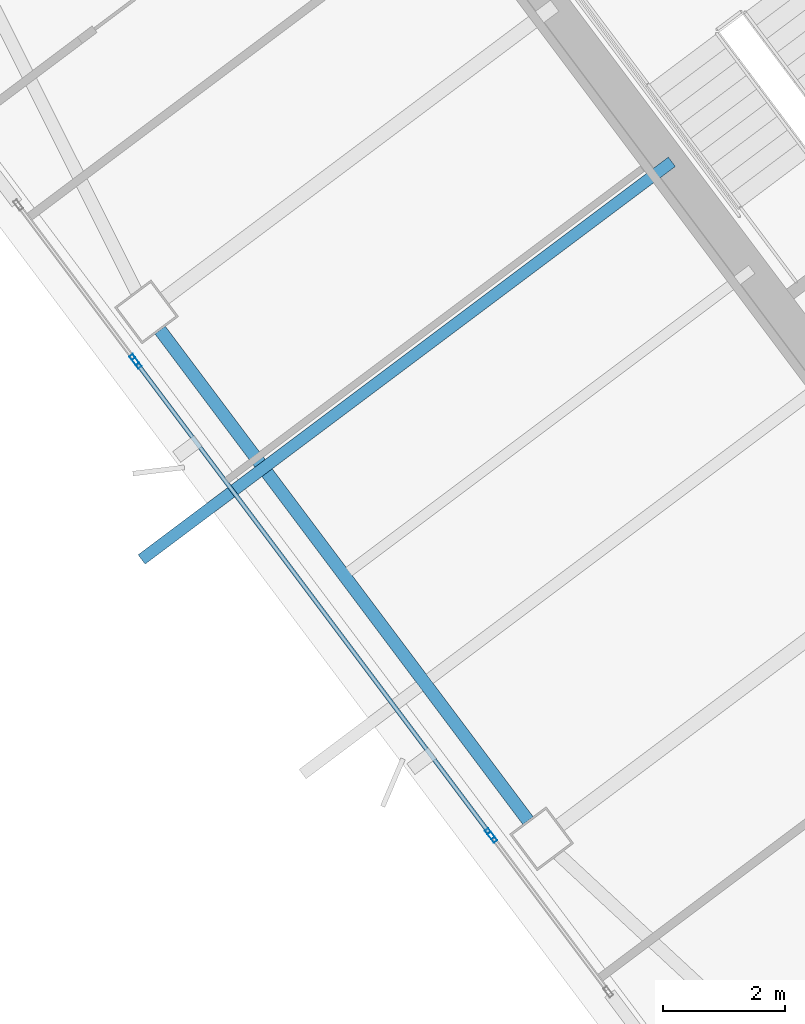
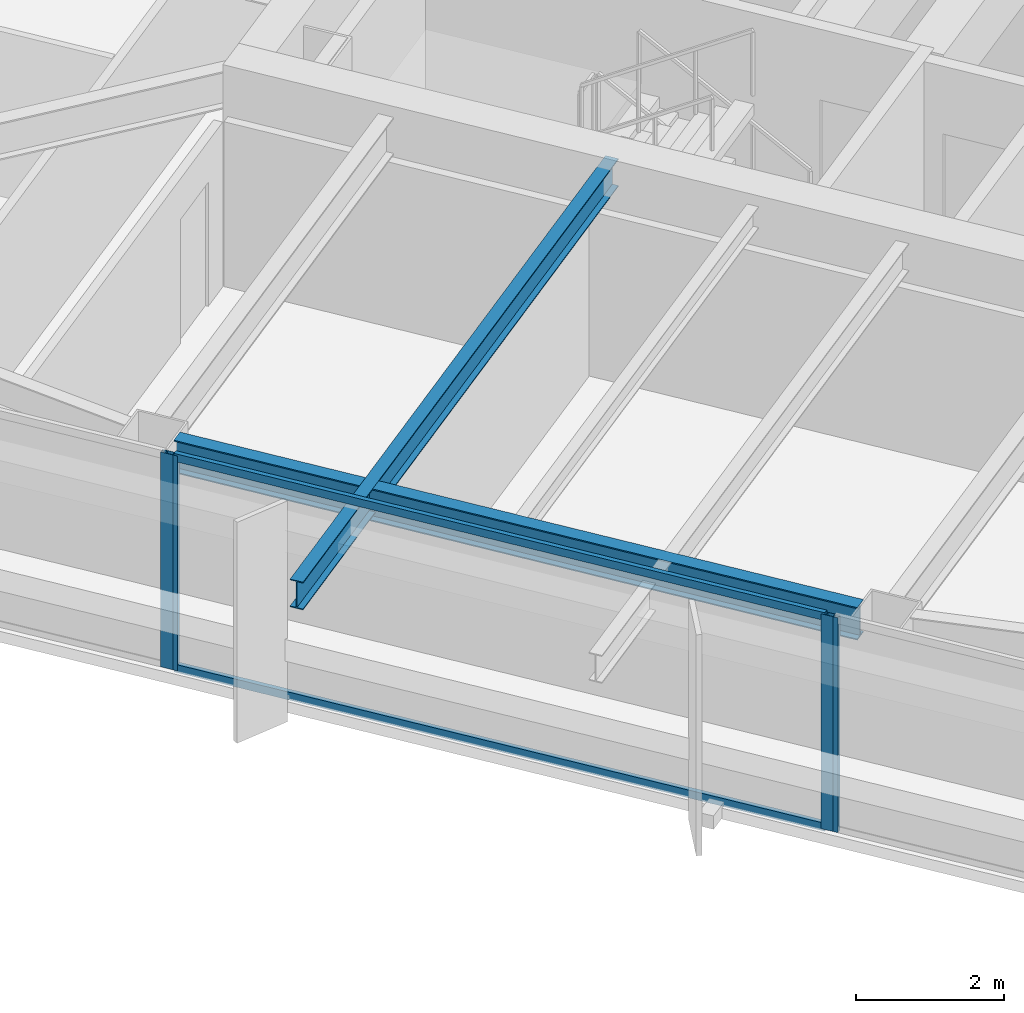
# One storey, part 18 of 46: 6 members, 2 beams, 3 elements without a shape of their own.
"""IFC4 building model written with IfcOpenShell, lengths in metres."""

import ifcopenshell
import ifcopenshell.guid

model = None  # the IFC model being written
_history = None  # IfcOwnerHistory: only IFC2X3 demands one
_inside = {}  # id of a spatial element -> (the spatial element, [elements in it])
_under = {}  # id of a project, library or spatial element -> (it, [spatial elements below it])
_declared = {}  # id of a project -> (the project, [libraries it declares])
_typed = {}  # id of a type object -> (the type object, [elements of that type])
_made_of = {}  # id of a material, layer set ... -> (it, [elements and type objects made of it])


def new_model(schema):
    """Start an empty IFC model of exactly this schema.

    Asked for "IFC4X3", IfcOpenShell would pick the latest addendum, in which some entities
    have other attributes; the version numbers below select the first issue.
    IFC2X3 requires an IfcOwnerHistory on every rooted entity: one is made here for all.
    """
    global model, _history
    if schema == "IFC4X3":
        model = ifcopenshell.file(schema_version=(4, 3, 0, 0))
    else:
        model = ifcopenshell.file(schema=schema)
    _inside.clear()
    _under.clear()
    _declared.clear()
    _typed.clear()
    _made_of.clear()
    _history = None
    if model.schema == "IFC2X3":
        org = make("IfcOrganization", Name="unknown")
        user = make(
            "IfcPersonAndOrganization",
            ThePerson=make("IfcPerson", FamilyName="unknown"),
            TheOrganization=org,
        )
        app = make(
            "IfcApplication",
            ApplicationDeveloper=org,
            Version="unknown",
            ApplicationFullName="unknown",
            ApplicationIdentifier="unknown",
        )
        _history = make(
            "IfcOwnerHistory",
            OwningUser=user,
            OwningApplication=app,
            ChangeAction="ADDED",
            CreationDate=0,
        )
    return model


def make(cls, **values):
    """One entity of the class cls with the attributes given. An attribute that is None is left unset."""
    return model.create_entity(
        cls, **{name: value for name, value in values.items() if value is not None}
    )


def rooted(cls, **values):
    """An entity with a GlobalId (a new one), such as an element, a storey or a relation."""
    return make(cls, GlobalId=ifcopenshell.guid.new(), OwnerHistory=_history, **values)


def si_unit(unit_type, name, prefix=None):
    """IfcSIUnit, for example si_unit("LENGTHUNIT", "METRE", prefix="MILLI")."""
    return make("IfcSIUnit", UnitType=unit_type, Prefix=prefix, Name=name)


def assignment(units):
    """IfcUnitAssignment: the units of a project."""
    return None if units is None else make("IfcUnitAssignment", Units=units)


def point(xyz):
    """IfcCartesianPoint."""
    return None if xyz is None else make("IfcCartesianPoint", Coordinates=xyz)


def direction(xyz):
    """IfcDirection."""
    return None if xyz is None else make("IfcDirection", DirectionRatios=xyz)


def frame(location, z_axis=None, x_axis=None):
    """IfcAxis2Placement3D, a coordinate frame: its origin and axes. An axis left out is left unset."""
    return make(
        "IfcAxis2Placement3D",
        Location=point(location),
        Axis=direction(z_axis),
        RefDirection=direction(x_axis),
    )


def frame_2d(location, x_axis=None):
    """IfcAxis2Placement2D, a coordinate frame in the plane: its origin and x axis."""
    return make(
        "IfcAxis2Placement2D", Location=point(location), RefDirection=direction(x_axis)
    )


def origin():
    """The frame at (0, 0, 0) with its axes left unset."""
    return frame((0.0, 0.0, 0.0))


def origin_2d():
    """The frame at (0, 0) in the plane with its x axis left unset."""
    return frame_2d((0.0, 0.0))


def place(relative_to, where):
    """IfcLocalPlacement: puts the frame where relative to a parent placement (None: the world)."""
    return make(
        "IfcLocalPlacement", PlacementRelTo=relative_to, RelativePlacement=where
    )


def context(
    kind, dimensions, precision=None, world=None, true_north=None, identifier=None
):
    """IfcGeometricRepresentationContext, for example the 3D "Model" context."""
    return make(
        "IfcGeometricRepresentationContext",
        ContextIdentifier=identifier,
        ContextType=kind,
        CoordinateSpaceDimension=dimensions,
        Precision=precision,
        WorldCoordinateSystem=world,
        TrueNorth=true_north,
    )


def subcontext(parent, identifier, kind, view, scale=None):
    """IfcGeometricRepresentationSubContext, for example "Body" below "Model"."""
    return make(
        "IfcGeometricRepresentationSubContext",
        ContextIdentifier=identifier,
        ContextType=kind,
        ParentContext=parent,
        TargetScale=scale,
        TargetView=view,
    )


def project(units=None, contexts=None):
    """IfcProject with its units and contexts."""
    return rooted(
        "IfcProject",
        Name="project",
        RepresentationContexts=contexts,
        UnitsInContext=assignment(units),
    )


def spatial(cls, under=None, at=None, **own):
    """A site, building, storey or space (cls), placed at a placement, below another one or the project."""
    s = rooted(cls, ObjectPlacement=at, **own)
    if under is not None:
        _under.setdefault(under.id(), (under, []))[1].append(s)
    return s


def profile(cls, at=None, kind="AREA", **sizes):
    """A parametric profile (cls). Its sizes go by their IFC names, for example OverallWidth=200.0."""
    return make(cls, ProfileType=kind, Position=at, **sizes)


def hollow_rectangle(**sizes):
    """IfcRectangleHollowProfileDef."""
    return profile("IfcRectangleHollowProfileDef", **sizes)


def i_section(**sizes):
    """IfcIShapeProfileDef."""
    return profile("IfcIShapeProfileDef", **sizes)


def extrude(swept, where, along, depth):
    """IfcExtrudedAreaSolid: the profile swept, set in the frame where, extruded along a direction by depth."""
    return make(
        "IfcExtrudedAreaSolid",
        SweptArea=swept,
        Position=where,
        ExtrudedDirection=direction(along),
        Depth=depth,
    )


def shape(context_of_items, identifier, shape_type, items):
    """IfcShapeRepresentation: the items that make up one representation, for example the "Body"."""
    return make(
        "IfcShapeRepresentation",
        ContextOfItems=context_of_items,
        RepresentationIdentifier=identifier,
        RepresentationType=shape_type,
        Items=items,
    )


def material(Name=None, Category=None):
    """IfcMaterial."""
    return make("IfcMaterial", Name=Name, Category=Category)


def material_profile(
    of_material, cross_section, Name=None, Category=None, Priority=None
):
    """IfcMaterialProfile: a cross section and its material."""
    return make(
        "IfcMaterialProfile",
        Name=Name,
        Material=of_material,
        Profile=cross_section,
        Priority=Priority,
        Category=Category,
    )


def profile_set(profiles, Name=None, composite=None):
    """IfcMaterialProfileSet."""
    return make(
        "IfcMaterialProfileSet",
        Name=Name,
        MaterialProfiles=profiles,
        CompositeProfile=composite,
    )


def made_of(thing, what):
    """Note that an element or type object is made of a material, layer set ...; save() writes the relation."""
    if what is not None:
        _made_of.setdefault(what.id(), (what, []))[1].append(thing)
    return thing


def type_object(cls, material=None, **own):
    """A type object (cls), such as IfcWallType, which elements share."""
    return made_of(rooted(cls, **own), material)


def element(
    cls,
    number,
    at=None,
    inside=None,
    cuts=None,
    type_object=None,
    material=None,
    context=None,
    identifier="Body",
    shape_type=None,
    held_by="IfcProductDefinitionShape",
    body=None,
    shapes=None,
    **own,
):
    """One element of the class cls, such as IfcWall. Its Tag is "e" and its number.

    at: its placement. inside: the storey or other place that contains it. cuts: it is an
    opening in that element (IfcRelVoidsElement). A single representation is given by context,
    identifier, shape_type and body (its items); several are given by shapes. held_by: the class
    of the entity that holds the representations. save() writes the other relations.
    """
    e = rooted(cls, Tag="e%d" % number, ObjectPlacement=at, **own)
    if body is not None:
        shapes = [shape(context, identifier, shape_type, body)]
    if shapes is not None:
        e.Representation = make(held_by, Representations=shapes)
    if inside is not None:
        _inside.setdefault(inside.id(), (inside, []))[1].append(e)
    if cuts is not None:
        rooted(
            "IfcRelVoidsElement", RelatingBuildingElement=cuts, RelatedOpeningElement=e
        )
    if type_object is not None:
        _typed.setdefault(type_object.id(), (type_object, []))[1].append(e)
    return made_of(e, material)


def aggregate(whole, parts):
    """IfcRelAggregates: a whole, such as a stair, and the parts it consists of."""
    return rooted("IfcRelAggregates", RelatingObject=whole, RelatedObjects=parts)


def save(model, path):
    """Write the relations noted so far, then the file.

    IfcRelAggregates (storeys below a building ...), IfcRelContainedInSpatialStructure (elements
    in a storey), IfcRelDefinesByType, IfcRelAssociatesMaterial and IfcRelDeclares: one each for
    every whole, place, type object, material and project.
    """
    for whole, parts in _under.values():
        aggregate(whole, parts)
    for where, things in _inside.values():
        rooted(
            "IfcRelContainedInSpatialStructure",
            RelatedElements=things,
            RelatingStructure=where,
        )
    for kind, things in _typed.values():
        rooted("IfcRelDefinesByType", RelatedObjects=things, RelatingType=kind)
    for what, things in _made_of.values():
        rooted("IfcRelAssociatesMaterial", RelatedObjects=things, RelatingMaterial=what)
    for by, libraries in _declared.values():
        rooted("IfcRelDeclares", RelatingContext=by, RelatedDefinitions=libraries)
    model.write(path)


model = new_model("IFC4")

# Units and contexts
model_context = context("Model", 3, precision=1e-05, world=origin(), true_north=direction((0.0, 1.0)))
body_context = subcontext(model_context, "Body", "Model", "MODEL_VIEW")
ifc_project = project(units=[si_unit("LENGTHUNIT", "METRE"), si_unit("AREAUNIT", "SQUARE_METRE"), si_unit("VOLUMEUNIT", "CUBIC_METRE"), si_unit("PLANEANGLEUNIT", "RADIAN"), si_unit("MASSUNIT", "GRAM", prefix="KILO")], contexts=[model_context])

# Site, building, storey
site_placement = place(None, origin())
site = spatial("IfcSite", under=ifc_project, at=site_placement, CompositionType="ELEMENT")
building_placement = place(site_placement, origin())
building = spatial("IfcBuilding", under=site, at=building_placement, Name="Tashvorn Skyway Center", CompositionType="ELEMENT")
storey_placement = place(building_placement, frame((0.0, 0.0, 167.64990234375)))
storey = spatial("IfcBuildingStorey", under=building, at=storey_placement, Name="L45", CompositionType="ELEMENT", Elevation=167.64990234375)

# Beams
ifc_material_1 = material(Name="Steel ASTM A992 Grade 50", Category="steel")
ifc_material_profile_1 = material_profile(ifc_material_1, i_section(OverallWidth=0.19091796875, OverallDepth=0.4599609375, WebThickness=0.010009765625, FlangeThickness=0.01611328125, at=origin_2d()), Name="W18X55")
ifc_profile_set_1 = profile_set([ifc_material_profile_1], Name="Steel ASTM A992 Grade 50")
beam_type_1 = type_object("IfcBeamType", Name="BM-JOIST-W18X55", PredefinedType="JOIST", material=ifc_profile_set_1)
beam_1_placement = place(storey_placement, frame((106.4560546875, 29.092041015625, 3.14013671875), z_axis=(-0.800002695192, -0.599996406394, 0.0), x_axis=(0.599996406394, -0.800002695192, 0.0)))
element("IfcBeam", 1, at=beam_1_placement, inside=storey, type_object=beam_type_1, Name="Tower 2 L46 Terrace Cantilever Outlooker 2", PredefinedType="JOIST", context=body_context, shape_type="SweptSolid", body=[
    extrude(i_section(OverallWidth=0.19091796875, OverallDepth=0.4599609375, WebThickness=0.010009765625, FlangeThickness=0.01611328125, at=origin_2d()), origin(), (0.0, 0.0, 1.0), 10.8701171875),
])
ifc_material_profile_2 = material_profile(ifc_material_1, i_section(OverallWidth=0.2109375, OverallDepth=0.5390625, WebThickness=0.01171875, FlangeThickness=0.018798828125, at=origin_2d()), Name="W21X73")
ifc_profile_set_2 = profile_set([ifc_material_profile_2], Name="Steel ASTM A992 Grade 50")
beam_type_2 = type_object("IfcBeamType", Name="BM-SPANDREL-W21X73", PredefinedType="SPANDREL", material=ifc_profile_set_2)
beam_2_placement = place(storey_placement, frame((98.06201171875, 26.333984375, 3.1005859375), z_axis=(0.599988351091, -0.800008736549, 0.0), x_axis=(0.800008736549, 0.599988351091, 0.0)))
element("IfcBeam", 2, at=beam_2_placement, inside=storey, type_object=beam_type_2, Name="Tower 2 L45 Spandrel Beam 11", PredefinedType="SPANDREL", context=body_context, shape_type="SweptSolid", body=[
    extrude(i_section(OverallWidth=0.2109375, OverallDepth=0.5390625, WebThickness=0.01171875, FlangeThickness=0.018798828125, at=origin_2d()), origin(), (0.0, 0.0, 1.0), 10.06005859375),
])

# Curtain wall, member
ifc_material_2 = material(Name="Thermally broken bronze-anodized aluminium 6063-T6", Category="aluminium")
curtain_wall_type = type_object("IfcCurtainWallType", Name="CW-CW-Z4", PredefinedType="NOTDEFINED", material=ifc_material_2)
curtain_wall_1_placement = place(storey_placement, origin())
curtain_wall_1 = element("IfcCurtainWall", 3, at=curtain_wall_1_placement, inside=storey, type_object=curtain_wall_type, Name="Tower 2 L45 West Unitised Curtain Wall Glazing Group 2", PredefinedType="NOTDEFINED")
ifc_material_profile_3 = material_profile(ifc_material_2, hollow_rectangle(XDim=0.070068359375, YDim=0.179931640625, WallThickness=0.00390625, at=origin_2d()), Name="ALU-MULL-70x180")
ifc_profile_set_3 = profile_set([ifc_material_profile_3], Name="Thermally broken bronze-anodized aluminium 6063-T6")
member_type_1 = type_object("IfcMemberType", Name="CWM-CW-Z4", PredefinedType="MULLION", material=ifc_profile_set_3)
member_1_placement = place(storey_placement, frame((103.512939453125, 18.01611328125, 0.0), z_axis=(0.0, 0.0, 1.0), x_axis=(-0.799999999998, -0.600000000002, 0.0)))
member_1 = element("IfcMember", 4, at=member_1_placement, type_object=member_type_1, Name="CW-Z4 mullion 2", PredefinedType="MULLION", context=body_context, shape_type="SweptSolid", body=[
    extrude(hollow_rectangle(XDim=0.070068359375, YDim=0.179931640625, WallThickness=0.00390625, at=origin_2d()), origin(), (0.0, 0.0, 1.0), 3.550048828125),
])
aggregate(curtain_wall_1, [member_1])

# Curtain wall, members
curtain_wall_2_placement = place(storey_placement, origin())
curtain_wall_2 = element("IfcCurtainWall", 5, at=curtain_wall_2_placement, inside=storey, type_object=curtain_wall_type, Name="Tower 2 L45 West Unitised Curtain Wall Glazing Group 3", PredefinedType="NOTDEFINED")
member_2_placement = place(storey_placement, frame((103.470947265625, 18.072021484375, 0.0), z_axis=(0.0, 0.0, 1.0), x_axis=(-0.799999999998, -0.600000000002, 0.0)))
member_2 = element("IfcMember", 6, at=member_2_placement, type_object=member_type_1, Name="CW-Z4 mullion 1", PredefinedType="MULLION", context=body_context, shape_type="SweptSolid", body=[
    extrude(hollow_rectangle(XDim=0.070068359375, YDim=0.179931640625, WallThickness=0.00390625, at=origin_2d()), origin(), (0.0, 0.0, 1.0), 3.550048828125),
])
member_3_placement = place(storey_placement, frame((97.680908203125, 25.7919921875, 0.0), z_axis=(0.0, 0.0, 1.0), x_axis=(-0.799999999998, -0.600000000002, 0.0)))
member_3 = element("IfcMember", 7, at=member_3_placement, type_object=member_type_1, Name="CW-Z4 mullion 2", PredefinedType="MULLION", context=body_context, shape_type="SweptSolid", body=[
    extrude(hollow_rectangle(XDim=0.070068359375, YDim=0.179931640625, WallThickness=0.00390625, at=origin_2d()), origin(), (0.0, 0.0, 1.0), 3.550048828125),
])

# Curtain wall, member
curtain_wall_3_placement = place(storey_placement, origin())
curtain_wall_3 = element("IfcCurtainWall", 8, at=curtain_wall_3_placement, inside=storey, type_object=curtain_wall_type, Name="Tower 2 L45 West Unitised Curtain Wall Glazing Group 4", PredefinedType="NOTDEFINED")
member_4_placement = place(storey_placement, frame((97.638916015625, 25.847900390625, 0.0), z_axis=(0.0, 0.0, 1.0), x_axis=(-0.799999999998, -0.600000000002, 0.0)))
member_4 = element("IfcMember", 9, at=member_4_placement, type_object=member_type_1, Name="CW-Z4 mullion 1", PredefinedType="MULLION", context=body_context, shape_type="SweptSolid", body=[
    extrude(hollow_rectangle(XDim=0.070068359375, YDim=0.179931640625, WallThickness=0.00390625, at=origin_2d()), origin(), (0.0, 0.0, 1.0), 3.550048828125),
])
aggregate(curtain_wall_3, [member_4])

# Member
ifc_material_profile_4 = material_profile(ifc_material_2, hollow_rectangle(XDim=0.070068359375, YDim=0.1298828125, WallThickness=0.00390625, at=origin_2d()), Name="ALU-TRAN-70x130")
ifc_profile_set_4 = profile_set([ifc_material_profile_4], Name="Thermally broken bronze-anodized aluminium 6063-T6")
member_type_2 = type_object("IfcMemberType", Name="CWT-CW-Z4", PredefinedType="USERDEFINED", material=ifc_profile_set_4)
member_5_placement = place(storey_placement, frame((103.449951171875, 18.10009765625, 0.03515625), z_axis=(-0.600012232595, 0.799990825408, 0.0), x_axis=(-0.799990825408, -0.600012232595, 0.0)))
member_5 = element("IfcMember", 10, at=member_5_placement, type_object=member_type_2, Name="CW-Z4 transom 1.1", ObjectType="TRANSOM", PredefinedType="USERDEFINED", context=body_context, shape_type="SweptSolid", body=[
    extrude(hollow_rectangle(XDim=0.070068359375, YDim=0.1298828125, WallThickness=0.00390625, at=origin_2d()), origin(), (0.0, 0.0, 1.0), 9.579833984375),
])

member_6_placement = place(storey_placement, frame((103.449951171875, 18.10009765625, 3.51513671875), z_axis=(-0.600012232595, 0.799990825408, 0.0), x_axis=(-0.799990825408, -0.600012232595, 0.0)))
member_6 = element("IfcMember", 11, at=member_6_placement, type_object=member_type_2, Name="CW-Z4 transom 1.2", ObjectType="TRANSOM", PredefinedType="USERDEFINED", context=body_context, shape_type="SweptSolid", body=[
    extrude(hollow_rectangle(XDim=0.070068359375, YDim=0.1298828125, WallThickness=0.00390625, at=origin_2d()), origin(), (0.0, 0.0, 1.0), 9.579833984375),
])

aggregate(curtain_wall_2, [member_2, member_3, member_5, member_6])

save(model, "model.ifc")
